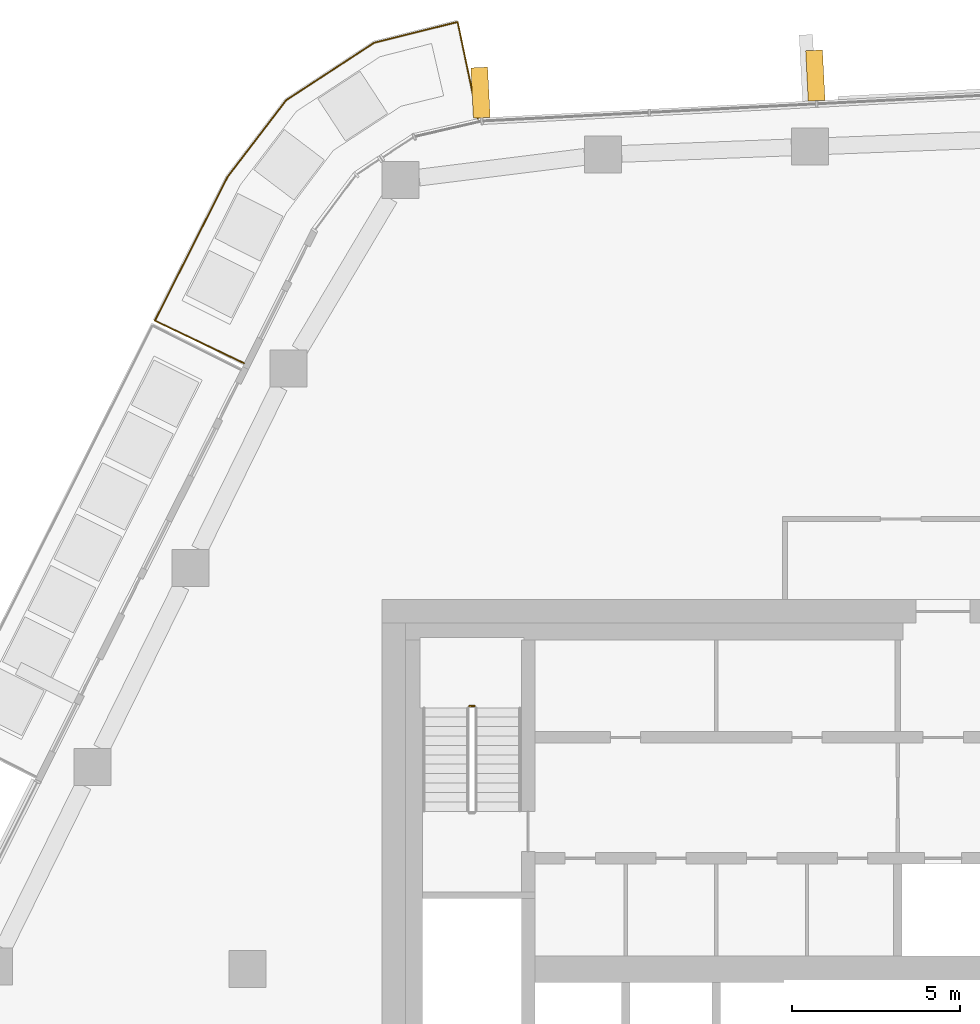
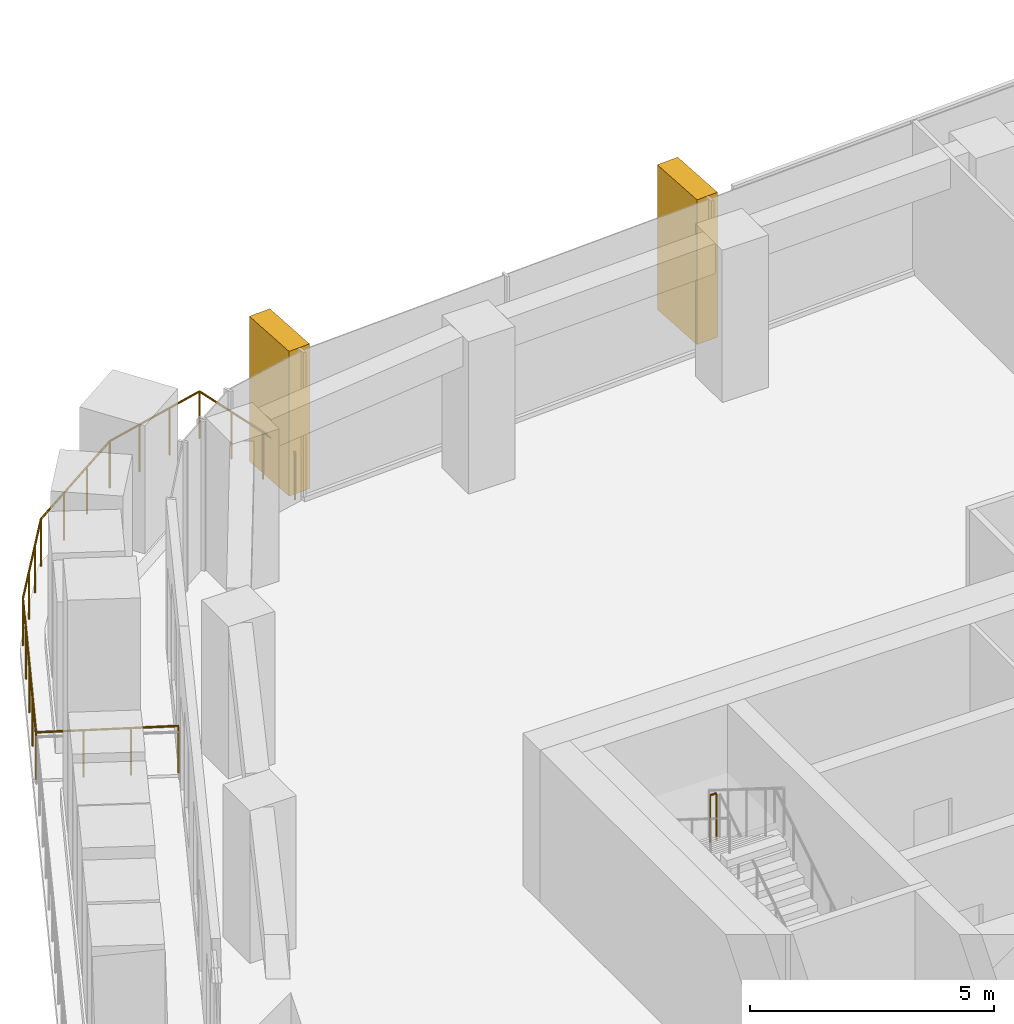
# One storey, part 20 of 22: 2 coverings, 2 railings, 1 element without a shape of its own.
"""IFC4 building model written with IfcOpenShell, lengths in metres."""

from ifc_helpers import new_model, si_unit, direction, frame, origin, origin_2d, place, context, subcontext, project, spatial, rectangle, circle, extrude, material, layer, layer_set, material_profile, profile_set, type_object, element, aggregate, save


model = new_model("IFC4")

# Units and contexts
model_context = context("Model", 3, precision=1e-05, world=origin(), true_north=direction((0.0, 1.0)))
body_context = subcontext(model_context, "Body", "Model", "MODEL_VIEW")
ifc_project = project(units=[si_unit("LENGTHUNIT", "METRE"), si_unit("AREAUNIT", "SQUARE_METRE"), si_unit("VOLUMEUNIT", "CUBIC_METRE"), si_unit("PLANEANGLEUNIT", "RADIAN"), si_unit("MASSUNIT", "GRAM", prefix="KILO")], contexts=[model_context])

# Site, building, storey
site_placement = place(None, origin())
site = spatial("IfcSite", under=ifc_project, at=site_placement, CompositionType="ELEMENT")
building_placement = place(site_placement, origin())
building = spatial("IfcBuilding", under=site, at=building_placement, Name="Dongbaek Canopy Tower", CompositionType="ELEMENT")
storey_placement = place(building_placement, frame((0.0, 0.0, 237.0)))
storey = spatial("IfcBuildingStorey", under=building, at=storey_placement, Name="L49", CompositionType="ELEMENT", Elevation=237.0)

# Railing
ifc_material_1 = material(Name="Stainless steel", Category="steel")
railing_type_1 = type_object("IfcRailingType", Name="Balcony balustrade 1200", PredefinedType="BALUSTRADE", material=ifc_material_1)
railing_1_placement = place(storey_placement, frame((-11.145263671875, 25.31201171875, 0.0)))
element("IfcRailing", 1, at=railing_1_placement, inside=storey, type_object=railing_type_1, Name="Balcony guard L49 4", PredefinedType="BALUSTRADE", context=body_context, shape_type="SweptSolid", body=[
    extrude(circle(Radius=0.02392578125, at=origin_2d()), frame((0.0, 0.0, 1.17578125), z_axis=(-0.204985235917, 0.978765065302, 0.0), x_axis=(-0.978765065302, -0.204985235917, 0.0)), (0.0, 0.0, 1.0), 2.940673828125),
    extrude(circle(Radius=0.02392578125, at=origin_2d()), frame((-0.602783203125, 2.878173828125, 1.17578125), z_axis=(-0.97025452573, -0.242087082058, 0.0), x_axis=(0.242087082058, -0.97025452573, 0.0)), (0.0, 0.0, 1.0), 2.5615234375),
    extrude(circle(Radius=0.02392578125, at=origin_2d()), frame((-3.088134765625, 2.258056640625, 1.17578125), z_axis=(-0.837419378181, -0.546560870394, 0.0), x_axis=(0.546560870394, -0.837419378181, 0.0)), (0.0, 0.0, 1.0), 3.125),
    extrude(circle(Radius=0.02392578125, at=origin_2d()), frame((-5.705078125, 0.550048828125, 1.17578125), z_axis=(-0.607570123847, -0.794266041455, 0.0), x_axis=(0.794266041455, -0.607570123847, 0.0)), (0.0, 0.0, 1.0), 2.869140625),
    extrude(circle(Radius=0.02392578125, at=origin_2d()), frame((-7.4482421875, -1.728759765625, 1.17578125), z_axis=(-0.451035547086, -0.892505986123, 0.0), x_axis=(0.892505986123, -0.451035547086, 0.0)), (0.0, 0.0, 1.0), 4.798583984375),
    extrude(circle(Radius=0.02392578125, at=origin_2d()), frame((-9.612548828125, -6.011474609375, 1.17578125), z_axis=(0.902527241049, -0.430632766013, 0.0), x_axis=(0.430632766013, 0.902527241049, 0.0)), (0.0, 0.0, 1.0), 2.940673828125),
    extrude(circle(Radius=0.02099609375, at=origin_2d()), origin(), (0.0, 0.0, 1.0), 1.15185546875),
    extrude(circle(Radius=0.02099609375, at=origin_2d()), frame((-0.200927734375, 0.95947265625, 0.0)), (0.0, 0.0, 1.0), 1.15185546875),
    extrude(circle(Radius=0.02099609375, at=origin_2d()), frame((-0.40185546875, 1.918701171875, 0.0)), (0.0, 0.0, 1.0), 1.15185546875),
    extrude(circle(Radius=0.02099609375, at=origin_2d()), frame((-0.602783203125, 2.878173828125, 0.0)), (0.0, 0.0, 1.0), 1.15185546875),
    extrude(circle(Radius=0.02099609375, at=origin_2d()), frame((-1.43115234375, 2.67138671875, 0.0)), (0.0, 0.0, 1.0), 1.15185546875),
    extrude(circle(Radius=0.02099609375, at=origin_2d()), frame((-2.259765625, 2.46484375, 0.0)), (0.0, 0.0, 1.0), 1.15185546875),
    extrude(circle(Radius=0.02099609375, at=origin_2d()), frame((-3.088134765625, 2.258056640625, 0.0)), (0.0, 0.0, 1.0), 1.15185546875),
    extrude(circle(Radius=0.02099609375, at=origin_2d()), frame((-3.96044921875, 1.688720703125, 0.0)), (0.0, 0.0, 1.0), 1.15185546875),
    extrude(circle(Radius=0.02099609375, at=origin_2d()), frame((-4.832763671875, 1.119384765625, 0.0)), (0.0, 0.0, 1.0), 1.15185546875),
    extrude(circle(Radius=0.02099609375, at=origin_2d()), frame((-5.705078125, 0.550048828125, 0.0)), (0.0, 0.0, 1.0), 1.15185546875),
    extrude(circle(Radius=0.02099609375, at=origin_2d()), frame((-6.2861328125, -0.20947265625, 0.0)), (0.0, 0.0, 1.0), 1.15185546875),
    extrude(circle(Radius=0.02099609375, at=origin_2d()), frame((-6.8671875, -0.96923828125, 0.0)), (0.0, 0.0, 1.0), 1.15185546875),
    extrude(circle(Radius=0.02099609375, at=origin_2d()), frame((-7.4482421875, -1.728759765625, 0.0)), (0.0, 0.0, 1.0), 1.15185546875),
    extrude(circle(Radius=0.02099609375, at=origin_2d()), frame((-7.9892578125, -2.79931640625, 0.0)), (0.0, 0.0, 1.0), 1.15185546875),
    extrude(circle(Radius=0.02099609375, at=origin_2d()), frame((-8.5302734375, -3.8701171875, 0.0)), (0.0, 0.0, 1.0), 1.15185546875),
    extrude(circle(Radius=0.02099609375, at=origin_2d()), frame((-9.071533203125, -4.94091796875, 0.0)), (0.0, 0.0, 1.0), 1.15185546875),
    extrude(circle(Radius=0.02099609375, at=origin_2d()), frame((-9.612548828125, -6.011474609375, 0.0)), (0.0, 0.0, 1.0), 1.15185546875),
    extrude(circle(Radius=0.02099609375, at=origin_2d()), frame((-8.727783203125, -6.43359375, 0.0)), (0.0, 0.0, 1.0), 1.15185546875),
    extrude(circle(Radius=0.02099609375, at=origin_2d()), frame((-7.84326171875, -6.855712890625, 0.0)), (0.0, 0.0, 1.0), 1.15185546875),
    extrude(circle(Radius=0.02099609375, at=origin_2d()), frame((-6.95849609375, -7.27783203125, 0.0)), (0.0, 0.0, 1.0), 1.15185546875),
])

# Curtain wall, coverings
ifc_material_2 = material(Name="Aluminium 6063-T6 pale anodised", Category="aluminium")
ifc_layer = layer(ifc_material_2, 0.199951171875)
ifc_layer_set = layer_set([ifc_layer], Name="CW-1 unitised tower curtain wall")
curtain_wall_type = type_object("IfcCurtainWallType", Name="CW-1 unitised tower curtain wall", PredefinedType="NOTDEFINED", material=ifc_layer_set)
curtain_wall_placement = place(storey_placement, origin())
curtain_wall = element("IfcCurtainWall", 2, at=curtain_wall_placement, inside=storey, type_object=curtain_wall_type, Name="CW-1 curtain wall F1.1", PredefinedType="NOTDEFINED")
ifc_material_3 = material(Name="Aluminium 6063-T6 pale metal fin", Category="aluminium")
ifc_material_profile = material_profile(ifc_material_3, rectangle(XDim=1.5, YDim=0.5, at=origin_2d()), Name="Fin FN1 500 x 1500 pale metal")
ifc_profile_set = profile_set([ifc_material_profile], Name="Aluminium 6063-T6 pale metal fin")
covering_type = type_object("IfcCoveringType", Name="Fin FN1 500 x 1500 pale metal", PredefinedType="CLADDING", material=ifc_profile_set)
covering_1_placement = place(storey_placement, frame((-1.10205078125, 26.5966796875, 0.1201171875), z_axis=(0.0, 0.0, 1.0), x_axis=(-0.051171421559, 0.998689884607, 0.0)))
covering_1 = element("IfcCovering", 3, at=covering_1_placement, type_object=covering_type, Name="Fin F1.1.3", PredefinedType="CLADDING", context=body_context, shape_type="SweptSolid", body=[
    extrude(rectangle(XDim=1.5, YDim=0.5, at=origin_2d()), origin(), (0.0, 0.0, 1.0), 3.6298828125),
])
covering_2_placement = place(storey_placement, frame((-11.067626953125, 26.086181640625, 0.1201171875), z_axis=(0.0, 0.0, 1.0), x_axis=(-0.051171421559, 0.998689884607, 0.0)))
covering_2 = element("IfcCovering", 4, at=covering_2_placement, type_object=covering_type, Name="Fin F1.1.5", PredefinedType="CLADDING", context=body_context, shape_type="SweptSolid", body=[
    extrude(rectangle(XDim=1.5, YDim=0.5, at=origin_2d()), origin(), (0.0, 0.0, 1.0), 3.6298828125),
])
aggregate(curtain_wall, [covering_1, covering_2])

# Railing
ifc_material_4 = material(Name="Stainless steel tube and balusters", Category="steel")
railing_type_2 = type_object("IfcRailingType", Name="Stair guard 1200", PredefinedType="GUARDRAIL", material=ifc_material_4)
railing_2_placement = place(storey_placement, frame((-11.25, 7.830078125, 2.10009765625)))
element("IfcRailing", 5, at=railing_2_placement, inside=storey, type_object=railing_type_2, Name="L49 ST-C stair guard 2", PredefinedType="GUARDRAIL", context=body_context, shape_type="SweptSolid", body=[
    extrude(circle(Radius=0.02392578125, at=origin_2d()), frame((0.0, 0.0, 1.17578125), z_axis=(-1.0, 0.0, 0.0), x_axis=(0.0, -1.0, 0.0)), (0.0, 0.0, 1.0), 0.14990234375),
    extrude(circle(Radius=0.02099609375, at=origin_2d()), origin(), (0.0, 0.0, 1.0), 1.15185546875),
    extrude(circle(Radius=0.02099609375, at=origin_2d()), frame((-0.14990234375, 0.0, 0.0)), (0.0, 0.0, 1.0), 1.15185546875),
])

save(model, "model.ifc")
